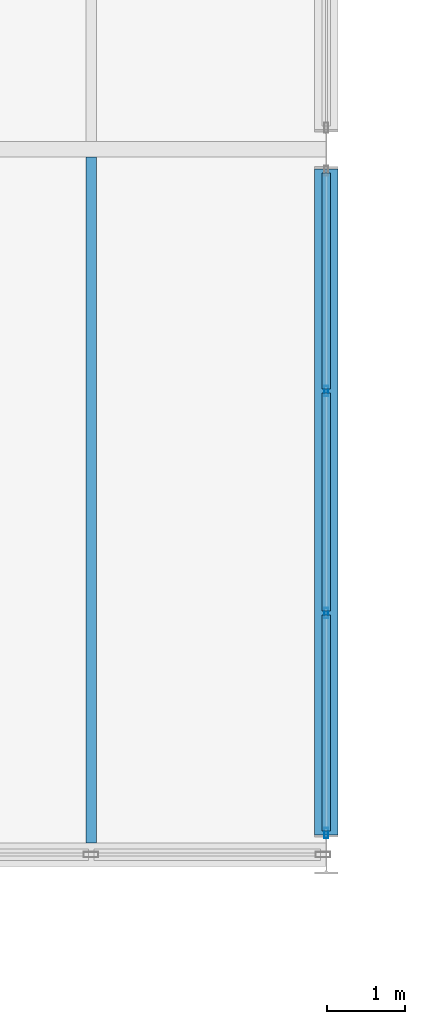
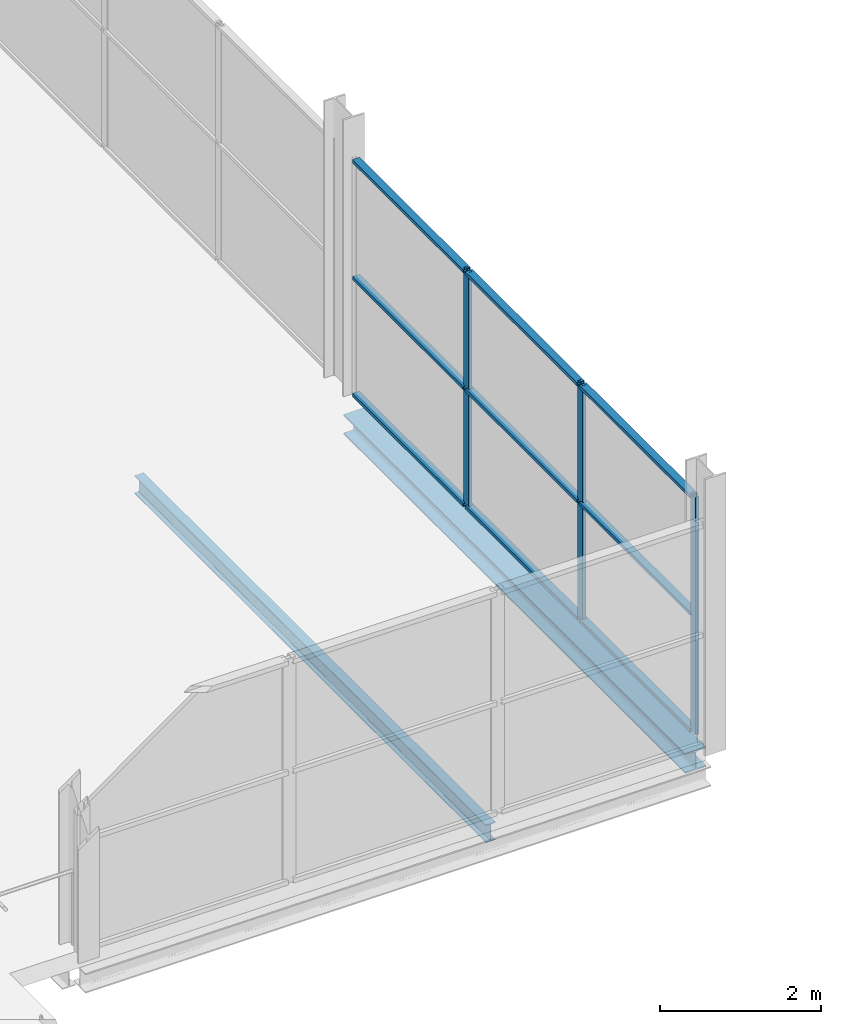
# One storey, part 22 of 103: 12 members, 2 beams, 1 element without a shape of its own.
"""IFC4 building model written with IfcOpenShell, lengths in metres."""

from ifc_helpers import new_model, si_unit, direction, frame, origin, origin_2d, place, context, subcontext, project, spatial, hollow_rectangle, i_section, extrude, material, layer, layer_set, material_profile, profile_set, type_object, element, aggregate, save


model = new_model("IFC4")

# Units and contexts
model_context = context("Model", 3, precision=1e-05, world=origin(), true_north=direction((0.0, 1.0)))
body_context = subcontext(model_context, "Body", "Model", "MODEL_VIEW")
ifc_project = project(units=[si_unit("LENGTHUNIT", "METRE"), si_unit("AREAUNIT", "SQUARE_METRE"), si_unit("VOLUMEUNIT", "CUBIC_METRE"), si_unit("PLANEANGLEUNIT", "RADIAN"), si_unit("MASSUNIT", "GRAM", prefix="KILO")], contexts=[model_context])

# Site, building, storey
site_placement = place(None, origin())
site = spatial("IfcSite", under=ifc_project, at=site_placement, CompositionType="ELEMENT")
building_placement = place(site_placement, origin())
building = spatial("IfcBuilding", under=site, at=building_placement, Name="Deido Ridge Mobility Hub", CompositionType="ELEMENT")
storey_placement = place(building_placement, frame((0.0, 0.0, 12.60009765625)))
storey = spatial("IfcBuildingStorey", under=building, at=storey_placement, Name="L03", CompositionType="ELEMENT", Elevation=12.60009765625)

# Beam
ifc_material_1 = material(Name="Steel S355J2 EN 10025-2", Category="steel")
ifc_material_profile_1 = material_profile(ifc_material_1, i_section(OverallWidth=0.135009765625, OverallDepth=0.27001953125, WebThickness=0.006591796875, FlangeThickness=0.01025390625, FilletRadius=0.014892578125, at=origin_2d()), Name="IPE 270")
ifc_profile_set_1 = profile_set([ifc_material_profile_1], Name="Steel S355J2 EN 10025-2")
beam_type_1 = type_object("IfcBeamType", Name="JST-IPE270", PredefinedType="JOIST", material=ifc_profile_set_1)
beam_1_placement = place(storey_placement, frame((105.0, 54.14990234375, -0.400146484375), z_axis=(0.0, 1.0, 0.0), x_axis=(-1.0, 0.0, 0.0)))
element("IfcBeam", 1, at=beam_1_placement, inside=storey, type_object=beam_type_1, Name="Composite joist J4", PredefinedType="JOIST", context=body_context, shape_type="SweptSolid", body=[
    extrude(i_section(OverallWidth=0.135009765625, OverallDepth=0.27001953125, WebThickness=0.006591796875, FlangeThickness=0.01025390625, FilletRadius=0.014892578125, at=origin_2d()), origin(), (0.0, 0.0, 1.0), 8.75),
])

# Curtain wall, members
ifc_material_2 = material(Name="Anodised aluminium EN AW-6063 T6", Category="aluminium")
ifc_layer = layer(ifc_material_2, 0.2548828125, Name="Anodised aluminium EN AW-6063 T6")
ifc_layer_set = layer_set([ifc_layer], Name="Anodised aluminium EN AW-6063 T6")
curtain_wall_type = type_object("IfcCurtainWallType", Name="CW-UF-7", PredefinedType="USERDEFINED", material=ifc_layer_set)
curtain_wall_placement = place(storey_placement, origin())
curtain_wall = element("IfcCurtainWall", 2, at=curtain_wall_placement, inside=storey, type_object=curtain_wall_type, Name="Unitised curtain wall CW7", ObjectType="UNITISED FACADE", PredefinedType="USERDEFINED")
ifc_material_profile_2 = material_profile(ifc_material_2, hollow_rectangle(XDim=0.050048828125, YDim=0.1298828125, WallThickness=0.00390625, at=origin_2d()), Name="RHS 50x130x4")
ifc_profile_set_2 = profile_set([ifc_material_profile_2], Name="Anodised aluminium EN AW-6063 T6")
member_type_1 = type_object("IfcMemberType", Name="MEM-MUL-50X130", PredefinedType="MULLION", material=ifc_profile_set_2)
member_1_placement = place(storey_placement, frame((108.0, 54.27490234375, 0.0), z_axis=(0.0, 0.0, 1.0), x_axis=(-1.0, 0.0, 0.0)))
member_1 = element("IfcMember", 3, at=member_1_placement, type_object=member_type_1, Name="CW7 mullion 1", PredefinedType="MULLION", context=body_context, shape_type="SweptSolid", body=[
    extrude(hollow_rectangle(XDim=0.050048828125, YDim=0.1298828125, WallThickness=0.00390625, at=origin_2d()), origin(), (0.0, 0.0, 1.0), 3.599853515625),
])
member_2_placement = place(storey_placement, frame((108.0, 57.083251953125, 0.0), z_axis=(0.0, 0.0, 1.0), x_axis=(-1.0, 0.0, 0.0)))
member_2 = element("IfcMember", 4, at=member_2_placement, type_object=member_type_1, Name="CW7 mullion 2", PredefinedType="MULLION", context=body_context, shape_type="SweptSolid", body=[
    extrude(hollow_rectangle(XDim=0.050048828125, YDim=0.1298828125, WallThickness=0.00390625, at=origin_2d()), origin(), (0.0, 0.0, 1.0), 3.599853515625),
])
member_3_placement = place(storey_placement, frame((108.0, 59.916748046875, 0.0), z_axis=(0.0, 0.0, 1.0), x_axis=(-1.0, 0.0, 0.0)))
member_3 = element("IfcMember", 5, at=member_3_placement, type_object=member_type_1, Name="CW7 mullion 3", PredefinedType="MULLION", context=body_context, shape_type="SweptSolid", body=[
    extrude(hollow_rectangle(XDim=0.050048828125, YDim=0.1298828125, WallThickness=0.00390625, at=origin_2d()), origin(), (0.0, 0.0, 1.0), 3.599853515625),
])
ifc_material_profile_3 = material_profile(ifc_material_2, hollow_rectangle(XDim=0.10498046875, YDim=0.050048828125, WallThickness=0.00390625, at=origin_2d()), Name="RHS 105x50x4")
ifc_profile_set_3 = profile_set([ifc_material_profile_3], Name="Anodised aluminium EN AW-6063 T6")
member_type_2 = type_object("IfcMemberType", Name="MEM-TRN-105X50", PredefinedType="USERDEFINED", material=ifc_profile_set_3)
member_4_placement = place(storey_placement, frame((108.0, 54.300048828125, 0.02490234375), z_axis=(0.0, 1.0, 0.0), x_axis=(-1.0, 0.0, 0.0)))
member_4 = element("IfcMember", 6, at=member_4_placement, type_object=member_type_2, Name="CW7 transom 1.1", ObjectType="TRANSOM", PredefinedType="USERDEFINED", context=body_context, shape_type="SweptSolid", body=[
    extrude(hollow_rectangle(XDim=0.10498046875, YDim=0.050048828125, WallThickness=0.00390625, at=origin_2d()), origin(), (0.0, 0.0, 1.0), 2.75830078125),
])
member_5_placement = place(storey_placement, frame((108.0, 54.300048828125, 1.7998046875), z_axis=(0.0, 1.0, 0.0), x_axis=(-1.0, 0.0, 0.0)))
member_5 = element("IfcMember", 7, at=member_5_placement, type_object=member_type_2, Name="CW7 transom 1.2", ObjectType="TRANSOM", PredefinedType="USERDEFINED", context=body_context, shape_type="SweptSolid", body=[
    extrude(hollow_rectangle(XDim=0.10498046875, YDim=0.050048828125, WallThickness=0.00390625, at=origin_2d()), origin(), (0.0, 0.0, 1.0), 2.75830078125),
])
member_6_placement = place(storey_placement, frame((108.0, 54.300048828125, 3.574951171875), z_axis=(0.0, 1.0, 0.0), x_axis=(-1.0, 0.0, 0.0)))
member_6 = element("IfcMember", 8, at=member_6_placement, type_object=member_type_2, Name="CW7 transom 1.3", ObjectType="TRANSOM", PredefinedType="USERDEFINED", context=body_context, shape_type="SweptSolid", body=[
    extrude(hollow_rectangle(XDim=0.10498046875, YDim=0.050048828125, WallThickness=0.00390625, at=origin_2d()), origin(), (0.0, 0.0, 1.0), 2.75830078125),
])
member_7_placement = place(storey_placement, frame((108.0, 57.1083984375, 0.02490234375), z_axis=(0.0, 1.0, 0.0), x_axis=(-1.0, 0.0, 0.0)))
member_7 = element("IfcMember", 9, at=member_7_placement, type_object=member_type_2, Name="CW7 transom 2.1", ObjectType="TRANSOM", PredefinedType="USERDEFINED", context=body_context, shape_type="SweptSolid", body=[
    extrude(hollow_rectangle(XDim=0.10498046875, YDim=0.050048828125, WallThickness=0.00390625, at=origin_2d()), origin(), (0.0, 0.0, 1.0), 2.783203125),
])
member_8_placement = place(storey_placement, frame((108.0, 57.1083984375, 1.7998046875), z_axis=(0.0, 1.0, 0.0), x_axis=(-1.0, 0.0, 0.0)))
member_8 = element("IfcMember", 10, at=member_8_placement, type_object=member_type_2, Name="CW7 transom 2.2", ObjectType="TRANSOM", PredefinedType="USERDEFINED", context=body_context, shape_type="SweptSolid", body=[
    extrude(hollow_rectangle(XDim=0.10498046875, YDim=0.050048828125, WallThickness=0.00390625, at=origin_2d()), origin(), (0.0, 0.0, 1.0), 2.783203125),
])
member_9_placement = place(storey_placement, frame((108.0, 57.1083984375, 3.574951171875), z_axis=(0.0, 1.0, 0.0), x_axis=(-1.0, 0.0, 0.0)))
member_9 = element("IfcMember", 11, at=member_9_placement, type_object=member_type_2, Name="CW7 transom 2.3", ObjectType="TRANSOM", PredefinedType="USERDEFINED", context=body_context, shape_type="SweptSolid", body=[
    extrude(hollow_rectangle(XDim=0.10498046875, YDim=0.050048828125, WallThickness=0.00390625, at=origin_2d()), origin(), (0.0, 0.0, 1.0), 2.783203125),
])
member_10_placement = place(storey_placement, frame((108.0, 59.941650390625, 0.02490234375), z_axis=(0.0, 1.0, 0.0), x_axis=(-1.0, 0.0, 0.0)))
member_10 = element("IfcMember", 12, at=member_10_placement, type_object=member_type_2, Name="CW7 transom 3.1", ObjectType="TRANSOM", PredefinedType="USERDEFINED", context=body_context, shape_type="SweptSolid", body=[
    extrude(hollow_rectangle(XDim=0.10498046875, YDim=0.050048828125, WallThickness=0.00390625, at=origin_2d()), origin(), (0.0, 0.0, 1.0), 2.75830078125),
])
member_11_placement = place(storey_placement, frame((108.0, 59.941650390625, 1.7998046875), z_axis=(0.0, 1.0, 0.0), x_axis=(-1.0, 0.0, 0.0)))
member_11 = element("IfcMember", 13, at=member_11_placement, type_object=member_type_2, Name="CW7 transom 3.2", ObjectType="TRANSOM", PredefinedType="USERDEFINED", context=body_context, shape_type="SweptSolid", body=[
    extrude(hollow_rectangle(XDim=0.10498046875, YDim=0.050048828125, WallThickness=0.00390625, at=origin_2d()), origin(), (0.0, 0.0, 1.0), 2.75830078125),
])
member_12_placement = place(storey_placement, frame((108.0, 59.941650390625, 3.574951171875), z_axis=(0.0, 1.0, 0.0), x_axis=(-1.0, 0.0, 0.0)))
member_12 = element("IfcMember", 14, at=member_12_placement, type_object=member_type_2, Name="CW7 transom 3.3", ObjectType="TRANSOM", PredefinedType="USERDEFINED", context=body_context, shape_type="SweptSolid", body=[
    extrude(hollow_rectangle(XDim=0.10498046875, YDim=0.050048828125, WallThickness=0.00390625, at=origin_2d()), origin(), (0.0, 0.0, 1.0), 2.75830078125),
])
aggregate(curtain_wall, [member_1, member_2, member_3, member_4, member_5, member_6, member_7, member_8, member_9, member_10, member_11, member_12])

# Beam
ifc_material_profile_4 = material_profile(ifc_material_1, i_section(OverallWidth=0.300048828125, OverallDepth=0.300048828125, WebThickness=0.010986328125, FlangeThickness=0.01904296875, FilletRadius=0.027099609375, at=origin_2d()), Name="HEB 300")
ifc_profile_set_4 = profile_set([ifc_material_profile_4], Name="Steel S355J2 EN 10025-2")
beam_type_2 = type_object("IfcBeamType", Name="SPD-HEB300", PredefinedType="SPANDREL", material=ifc_profile_set_4)
beam_2_placement = place(storey_placement, frame((108.0, 54.25, -0.4150390625), z_axis=(0.0, 1.0, 0.0), x_axis=(-1.0, 0.0, 0.0)))
element("IfcBeam", 15, at=beam_2_placement, inside=storey, type_object=beam_type_2, Name="Floor beam SP1", PredefinedType="SPANDREL", context=body_context, shape_type="SweptSolid", body=[
    extrude(i_section(OverallWidth=0.300048828125, OverallDepth=0.300048828125, WebThickness=0.010986328125, FlangeThickness=0.01904296875, FilletRadius=0.027099609375, at=origin_2d()), origin(), (0.0, 0.0, 1.0), 8.5),
])

save(model, "model.ifc")
